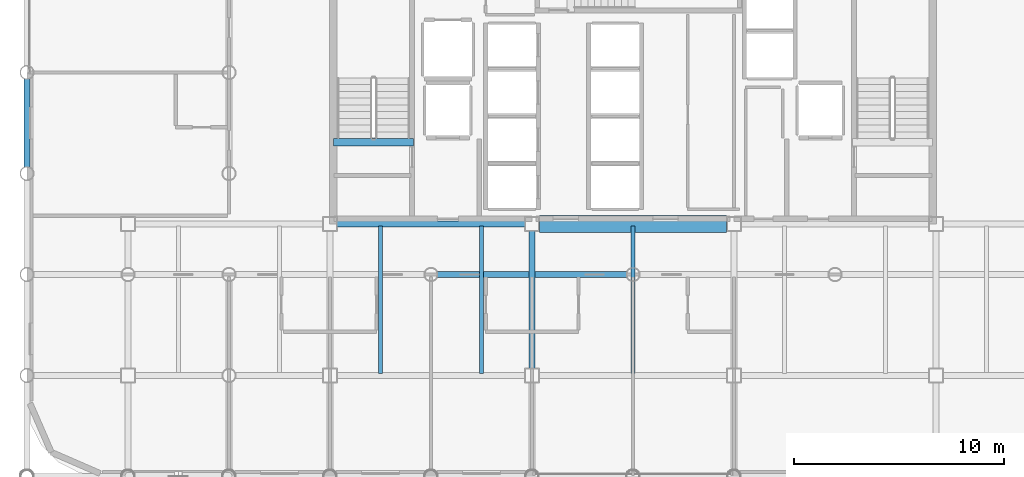
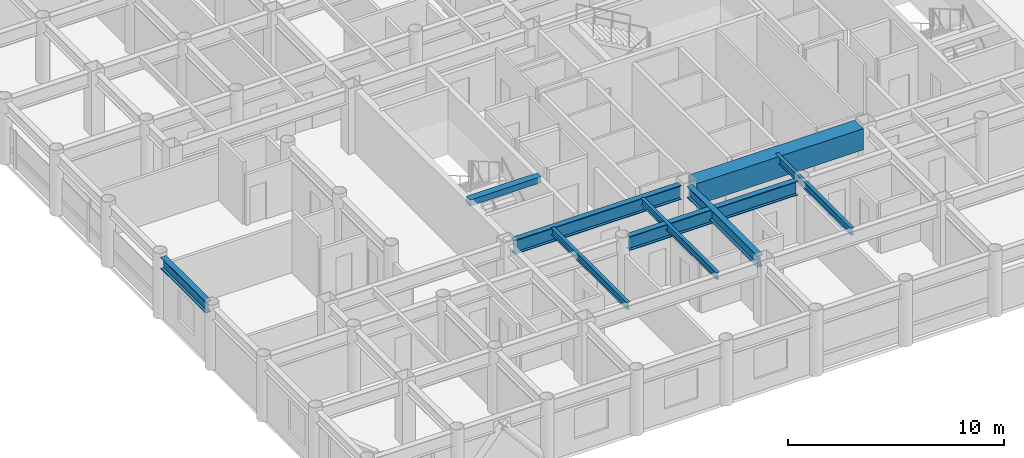
# One storey, part 3 of 22: 9 beams.
"""IFC4 building model written with IfcOpenShell, lengths in metres."""

from ifc_helpers import new_model, si_unit, direction, frame, origin, origin_2d, place, context, subcontext, project, spatial, rectangle, i_section, extrude, material, material_profile, profile_set, type_object, element, save


model = new_model("IFC4")

# Units and contexts
model_context = context("Model", 3, precision=1e-05, world=origin(), true_north=direction((0.0, 1.0)))
body_context = subcontext(model_context, "Body", "Model", "MODEL_VIEW")
ifc_project = project(units=[si_unit("LENGTHUNIT", "METRE"), si_unit("AREAUNIT", "SQUARE_METRE"), si_unit("VOLUMEUNIT", "CUBIC_METRE"), si_unit("PLANEANGLEUNIT", "RADIAN"), si_unit("MASSUNIT", "GRAM", prefix="KILO")], contexts=[model_context])

# Site, building, storey
site_placement = place(None, origin())
site = spatial("IfcSite", under=ifc_project, at=site_placement, CompositionType="ELEMENT")
building_placement = place(site_placement, origin())
building = spatial("IfcBuilding", under=site, at=building_placement, Name="Kallvorn Hotel Tower", CompositionType="ELEMENT")
storey_placement = place(building_placement, frame((0.0, 0.0, 106.300048828125)))
storey = spatial("IfcBuildingStorey", under=building, at=storey_placement, Name="L25", CompositionType="ELEMENT", Elevation=106.300048828125)

# Beams
ifc_material_1 = material(Name="Structural steel S355JR", Category="steel")
ifc_material_profile_1 = material_profile(ifc_material_1, i_section(OverallWidth=0.300048828125, OverallDepth=0.64990234375, WebThickness=0.01611328125, FlangeThickness=0.031005859375, at=origin_2d()), Name="HE 650 B")
ifc_profile_set_1 = profile_set([ifc_material_profile_1], Name="Structural steel S355JR")
beam_type_1 = type_object("IfcBeamType", Name="BM_HE650B", PredefinedType="BEAM", material=ifc_profile_set_1)
beam_1_placement = place(storey_placement, frame((-28.800048828125, -4.4951171875, 3.195068359375), z_axis=(0.0, 1.0, 0.0), x_axis=(-1.0, 0.0, 0.0)))
element("IfcBeam", 1, at=beam_1_placement, inside=storey, type_object=beam_type_1, Name="L26 Primary Y-Girder 76", PredefinedType="BEAM", context=body_context, shape_type="SweptSolid", body=[
    extrude(i_section(OverallWidth=0.300048828125, OverallDepth=0.64990234375, WebThickness=0.01611328125, FlangeThickness=0.031005859375, at=origin_2d()), origin(), (0.0, 0.0, 1.0), 4.190185546875),
])
beam_2_placement = place(storey_placement, frame((-4.800048828125, -14.074951171875, 3.195068359375), z_axis=(0.0, 1.0, 0.0), x_axis=(-1.0, 0.0, 0.0)))
element("IfcBeam", 2, at=beam_2_placement, inside=storey, type_object=beam_type_1, Name="L26 Primary Y-Girder 106", PredefinedType="BEAM", context=body_context, shape_type="SweptSolid", body=[
    extrude(i_section(OverallWidth=0.300048828125, OverallDepth=0.64990234375, WebThickness=0.01611328125, FlangeThickness=0.031005859375, at=origin_2d()), origin(), (0.0, 0.0, 1.0), 6.550048828125),
])
ifc_material_2 = material(Name="Structural steel S355JR", Category="steel")
ifc_material_profile_2 = material_profile(ifc_material_2, i_section(OverallWidth=0.300048828125, OverallDepth=0.800048828125, WebThickness=0.017578125, FlangeThickness=0.032958984375, at=origin_2d()), Name="HE 800 B")
ifc_profile_set_2 = profile_set([ifc_material_profile_2], Name="Structural steel S355JR")
beam_type_2 = type_object("IfcBeamType", Name="BM_HE800B", PredefinedType="BEAM", material=ifc_profile_set_2)
beam_3_placement = place(storey_placement, frame((-9.294921875, -9.60009765625, 3.119873046875), z_axis=(1.0, 0.0, 0.0), x_axis=(0.0, 1.0, 0.0)))
element("IfcBeam", 3, at=beam_3_placement, inside=storey, type_object=beam_type_2, Name="L26 Primary X-Girder 26", PredefinedType="BEAM", context=body_context, shape_type="SweptSolid", body=[
    extrude(i_section(OverallWidth=0.300048828125, OverallDepth=0.800048828125, WebThickness=0.017578125, FlangeThickness=0.032958984375, at=origin_2d()), origin(), (0.0, 0.0, 1.0), 8.989990234375),
])
beam_4_placement = place(storey_placement, frame((-14.074951171875, -7.199951171875, 3.119873046875), z_axis=(1.0, 0.0, 0.0), x_axis=(0.0, 1.0, 0.0)))
element("IfcBeam", 4, at=beam_4_placement, inside=storey, type_object=beam_type_2, Name="L26 Primary X-Girder 33", PredefinedType="BEAM", context=body_context, shape_type="SweptSolid", body=[
    extrude(i_section(OverallWidth=0.300048828125, OverallDepth=0.800048828125, WebThickness=0.017578125, FlangeThickness=0.032958984375, at=origin_2d()), origin(), (0.0, 0.0, 1.0), 8.949951171875),
])
ifc_material_3 = material(Name="Structural steel S355JR", Category="steel")
ifc_material_profile_3 = material_profile(ifc_material_3, i_section(OverallWidth=0.179931640625, OverallDepth=0.39990234375, WebThickness=0.008544921875, FlangeThickness=0.013427734375, at=origin_2d()), Name="IPE 400")
ifc_profile_set_3 = profile_set([ifc_material_profile_3], Name="Structural steel S355JR")
beam_type_3 = type_object("IfcBeamType", Name="BM_IPE400", PredefinedType="JOIST", material=ifc_profile_set_3)
for number, where, z_axis, x_axis, name in (
    (5, (-12.0, -14.300048828125, 3.320068359375), (0.0, 1.0, 0.0), (-1.0, 0.0, 0.0), "L26 Secondary Composite Joist 196"),
    (6, (-7.199951171875, -14.300048828125, 3.320068359375), (0.0, 1.0, 0.0), (-1.0, 0.0, 0.0), "L26 Secondary Composite Joist 198"),
    (7, (0.0, -14.300048828125, 3.320068359375), (0.0, 1.0, 0.0), (-1.0, 0.0, 0.0), "L26 Secondary Composite Joist 200"),
):
    element("IfcBeam", number, at=place(storey_placement, frame(where, z_axis=z_axis, x_axis=x_axis)), inside=storey, type_object=beam_type_3, Name=name, PredefinedType="JOIST", context=body_context, shape_type="SweptSolid", body=[
        extrude(i_section(OverallWidth=0.179931640625, OverallDepth=0.39990234375, WebThickness=0.008544921875, FlangeThickness=0.013427734375, at=origin_2d()), origin(), (0.0, 0.0, 1.0), 7.0),
    ])
ifc_material_4 = material(Name="Concrete C50/60", Category="concrete")
ifc_material_profile_4 = material_profile(ifc_material_4, rectangle(XDim=0.360107421875, YDim=0.340087890625, at=origin_2d()), Name="RC 360x340")
ifc_profile_set_4 = profile_set([ifc_material_profile_4], Name="Concrete C50/60")
beam_type_4 = type_object("IfcBeamType", Name="BM_RC_400x360", PredefinedType="BEAM", material=ifc_profile_set_4)
beam_5_placement = place(storey_placement, frame((-10.419921875, -3.31005859375, 3.349853515625), z_axis=(-1.0, 0.0, 0.0), x_axis=(0.0, -1.0, 0.0)))
element("IfcBeam", 8, at=beam_5_placement, inside=storey, type_object=beam_type_4, Name="L26 Stair ST1 Arrival Trimmer Beam", PredefinedType="BEAM", context=body_context, shape_type="SweptSolid", body=[
    extrude(rectangle(XDim=0.360107421875, YDim=0.340087890625, at=origin_2d()), origin(), (0.0, 0.0, 1.0), 3.820068359375),
])
ifc_material_5 = material(Name="Concrete C50/60", Category="concrete")
ifc_material_profile_5 = material_profile(ifc_material_5, rectangle(XDim=0.800048828125, YDim=1.199951171875, at=origin_2d()), Name="RC 800x1200")
ifc_profile_set_5 = profile_set([ifc_material_profile_5], Name="Concrete C50/60")
beam_type_5 = type_object("IfcBeamType", Name="BM_RC_800x1200", PredefinedType="T_BEAM", material=ifc_profile_set_5)
beam_6_placement = place(storey_placement, frame((-4.449951171875, -7.199951171875, 2.919921875), z_axis=(1.0, 0.0, 0.0), x_axis=(0.0, 1.0, 0.0)))
element("IfcBeam", 9, at=beam_6_placement, inside=storey, type_object=beam_type_5, Name="L25 Core Coupling Beam South", PredefinedType="T_BEAM", context=body_context, shape_type="SweptSolid", body=[
    extrude(rectangle(XDim=0.800048828125, YDim=1.199951171875, at=origin_2d()), origin(), (0.0, 0.0, 1.0), 8.89990234375),
])

save(model, "model.ifc")
